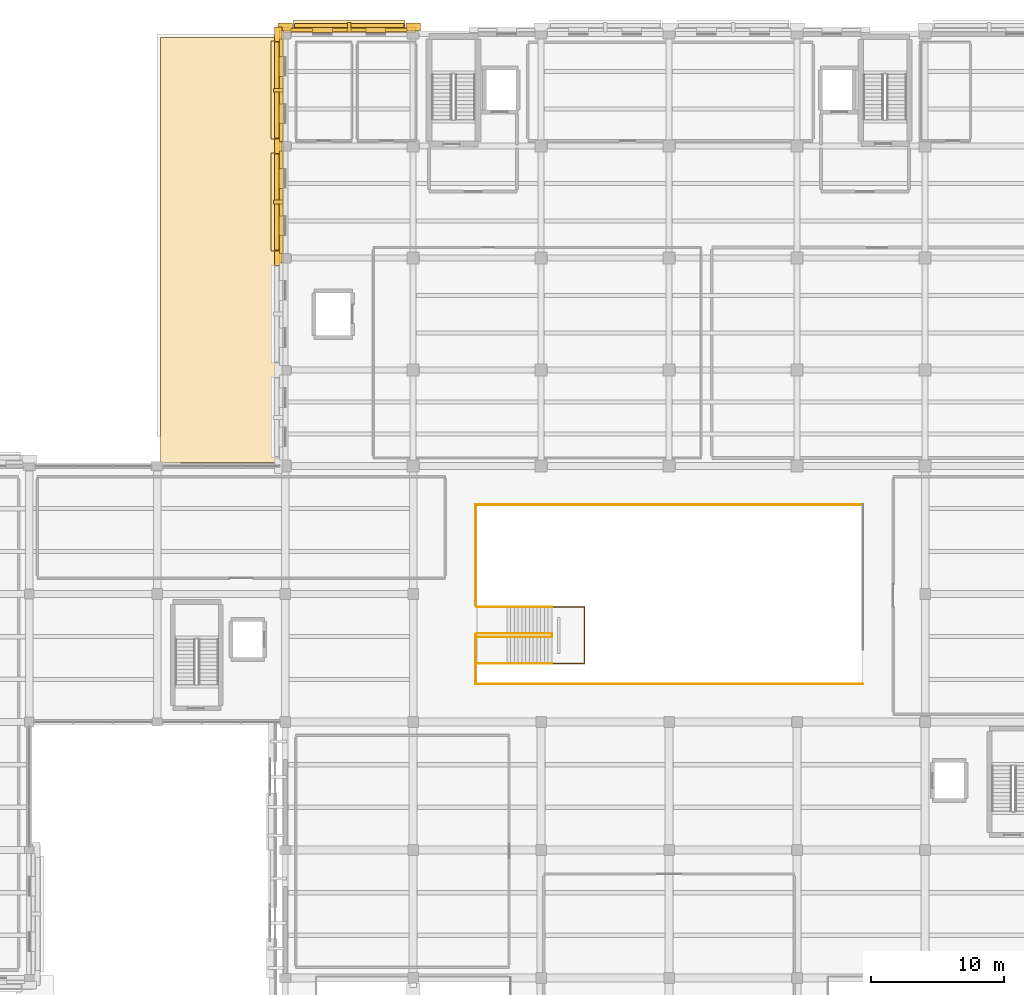
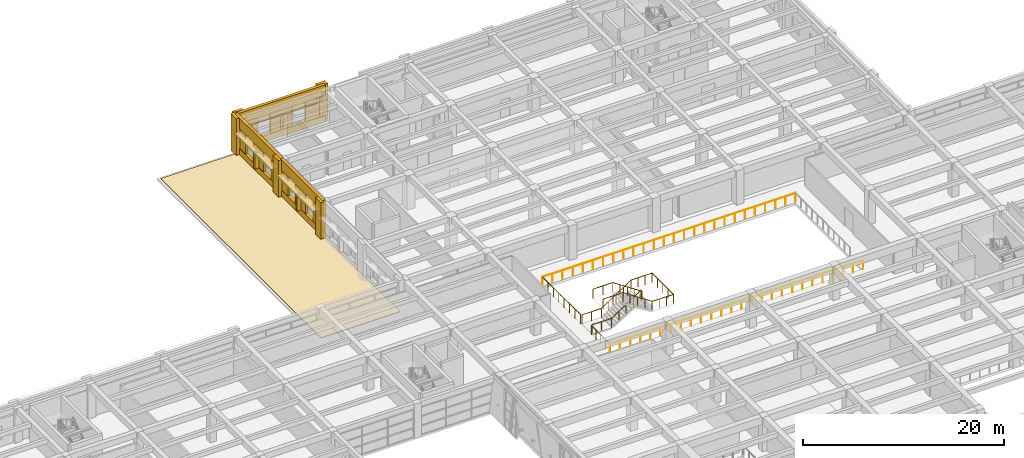
# One storey, part 44 of 49: 27 coverings, 9 railings, 3 shading devices.
"""IFC4 building model written with IfcOpenShell, lengths in metres."""

from ifc_helpers import new_model, si_unit, direction, frame, origin, origin_2d, place, context, subcontext, project, spatial, polyline, rectangle, circle, outline, extrude, material, layer, layer_set, type_object, element, save


model = new_model("IFC4")

# Units and contexts
model_context = context("Model", 3, precision=1e-05, world=origin(), true_north=direction((0.0, 1.0)))
body_context = subcontext(model_context, "Body", "Model", "MODEL_VIEW")
ifc_project = project(units=[si_unit("LENGTHUNIT", "METRE"), si_unit("AREAUNIT", "SQUARE_METRE"), si_unit("VOLUMEUNIT", "CUBIC_METRE"), si_unit("PLANEANGLEUNIT", "RADIAN"), si_unit("MASSUNIT", "GRAM", prefix="KILO")], contexts=[model_context])

# Site, building, storey
site_placement = place(None, origin())
site = spatial("IfcSite", under=ifc_project, at=site_placement, CompositionType="ELEMENT")
building_placement = place(site_placement, origin())
building = spatial("IfcBuilding", under=site, at=building_placement, Name="Bempovik Park Faculty of Sciences", CompositionType="ELEMENT")
storey_placement = place(building_placement, frame((0.0, 0.0, 5.39990234375)))
storey = spatial("IfcBuildingStorey", under=building, at=storey_placement, Name="L01", CompositionType="ELEMENT", Elevation=5.39990234375)

# Coverings
ifc_material_1 = material(Name="Precast concrete C40/50", Category="concrete")
ifc_layer_1 = layer(ifc_material_1, 0.179931640625)
ifc_layer_set_1 = layer_set([ifc_layer_1], Name="Precast concrete C40/50")
covering_type_1 = type_object("IfcCoveringType", Name="CL-02 Classical Cornice Band 180mm", PredefinedType="CLADDING", material=ifc_layer_set_1)
for number, where, z_axis, x_axis, name in (
    (1, (59.39990234375, 106.800048828125, 2.6103515625), (0.0, 0.0, 1.0), (1.0, 0.0, 0.0), "L01 Classical Stone Solar Window Hood EW-L01-6642"),
    (2, (59.39990234375, 115.199951171875, 2.6103515625), (0.0, 0.0, 1.0), (1.0, 0.0, 0.0), "L01 Classical Stone Solar Window Hood EW-L01-6654"),
):
    element("IfcCovering", number, at=place(storey_placement, frame(where, z_axis=z_axis, x_axis=x_axis)), inside=storey, type_object=covering_type_1, Name=name, PredefinedType="CLADDING", context=body_context, shape_type="SweptSolid", body=[
        extrude(rectangle(XDim=0.919921875, YDim=7.345947265625, at=origin_2d()), origin(), (0.0, 0.0, 1.0), 0.219970703125),
    ])
covering_1_placement = place(storey_placement, frame((64.800048828125, 120.0, 2.6103515625), z_axis=(0.0, 0.0, 1.0), x_axis=(1.0, 0.0, 0.0)))
element("IfcCovering", 3, at=covering_1_placement, inside=storey, type_object=covering_type_1, Name="L01 Classical Stone Solar Window Hood EW-L01-6666", PredefinedType="CLADDING", context=body_context, shape_type="SweptSolid", body=[
    extrude(rectangle(XDim=8.345947265625, YDim=0.919921875, at=origin_2d()), origin(), (0.0, 0.0, 1.0), 0.219970703125),
])
ifc_material_2 = material(Name="White reconstituted limestone precast C40/50", Category="masonry")
ifc_layer_2 = layer(ifc_material_2, 0.239990234375)
ifc_layer_set_2 = layer_set([ifc_layer_2], Name="White reconstituted limestone precast C40/50")
covering_type_2 = type_object("IfcCoveringType", Name="CL-03 Classical Fluted Limestone Pilaster 240mm", PredefinedType="CLADDING", material=ifc_layer_set_2)
covering_2_placement = place(storey_placement, frame((59.469970703125, 102.60009765625, 0.0), z_axis=(0.0, 0.0, 1.0), x_axis=(1.0, 0.0, 0.0)))
element("IfcCovering", 4, at=covering_2_placement, inside=storey, type_object=covering_type_2, Name="L01 Classical Fluted Stone Pilaster PIL-BA-L01-595-1026", PredefinedType="CLADDING", context=body_context, shape_type="SweptSolid", body=[
    extrude(rectangle(XDim=0.580078125, YDim=1.10009765625, at=origin_2d()), origin(), (0.0, 0.0, 1.0), 4.5),
])
covering_3_placement = place(storey_placement, frame((59.68994140625, 106.800048828125, 3.22021484375), z_axis=(0.0, 0.0, 1.0), x_axis=(1.0, 0.0, 0.0)))
element("IfcCovering", 5, at=covering_3_placement, inside=storey, type_object=covering_type_2, Name="L01 Classical Limestone Spandrel Entablature EW-L01-6642", PredefinedType="CLADDING", context=body_context, shape_type="SweptSolid", body=[
    extrude(rectangle(XDim=0.340087890625, YDim=9.0458984375, at=origin_2d()), origin(), (0.0, 0.0, 1.0), 1.280029296875),
])
covering_4_placement = place(storey_placement, frame((59.68994140625, 106.800048828125, 0.0), z_axis=(0.0, 0.0, 1.0), x_axis=(1.0, 0.0, 0.0)))
element("IfcCovering", 6, at=covering_4_placement, inside=storey, type_object=covering_type_2, Name="L01 Classical Limestone Sill Dado EW-L01-6642", PredefinedType="CLADDING", context=body_context, shape_type="SweptSolid", body=[
    extrude(rectangle(XDim=0.340087890625, YDim=9.0458984375, at=origin_2d()), origin(), (0.0, 0.0, 1.0), 0.780029296875),
])
covering_5_placement = place(storey_placement, frame((59.469970703125, 111.0, 0.0), z_axis=(0.0, 0.0, 1.0), x_axis=(1.0, 0.0, 0.0)))
element("IfcCovering", 7, at=covering_5_placement, inside=storey, type_object=covering_type_2, Name="L01 Classical Fluted Stone Pilaster PIL-BA-L01-595-1110", PredefinedType="CLADDING", context=body_context, shape_type="SweptSolid", body=[
    extrude(rectangle(XDim=0.580078125, YDim=1.10009765625, at=origin_2d()), origin(), (0.0, 0.0, 1.0), 4.5),
])
covering_6_placement = place(storey_placement, frame((59.699951171875, 103.620849609375, 0.000244140625), z_axis=(0.0, 0.0, 1.0), x_axis=(1.0, 0.0, 0.0)))
element("IfcCovering", 8, at=covering_6_placement, inside=storey, type_object=covering_type_2, Name="L01 White Limestone Wall Cheek EW-L01-6642-0", PredefinedType="CLADDING", context=body_context, shape_type="SweptSolid", body=[
    extrude(rectangle(XDim=0.239990234375, YDim=1.337890625, at=origin_2d()), origin(), (0.0, 0.0, 1.0), 3.3798828125),
])
covering_7_placement = place(storey_placement, frame((59.699951171875, 106.800048828125, 0.000244140625), z_axis=(0.0, 0.0, 1.0), x_axis=(1.0, 0.0, 0.0)))
element("IfcCovering", 9, at=covering_7_placement, inside=storey, type_object=covering_type_2, Name="L01 White Limestone Wall Cheek EW-L01-6642-2", PredefinedType="CLADDING", context=body_context, shape_type="SweptSolid", body=[
    extrude(rectangle(XDim=0.239990234375, YDim=2.060302734375, at=origin_2d()), origin(), (0.0, 0.0, 1.0), 3.3798828125),
])
covering_8_placement = place(storey_placement, frame((59.699951171875, 109.97900390625, 0.000244140625), z_axis=(0.0, 0.0, 1.0), x_axis=(1.0, 0.0, 0.0)))
element("IfcCovering", 10, at=covering_8_placement, inside=storey, type_object=covering_type_2, Name="L01 White Limestone Wall Cheek EW-L01-6642-4", PredefinedType="CLADDING", context=body_context, shape_type="SweptSolid", body=[
    extrude(rectangle(XDim=0.239990234375, YDim=1.337890625, at=origin_2d()), origin(), (0.0, 0.0, 1.0), 3.3798828125),
])
covering_9_placement = place(storey_placement, frame((59.489990234375, 106.800048828125, 0.7001953125), z_axis=(0.0, 0.0, 1.0), x_axis=(1.0, 0.0, 0.0)))
element("IfcCovering", 11, at=covering_9_placement, inside=storey, type_object=covering_type_2, Name="L01 Classical Vertical Stone Shading Fin EW-L01-6642", PredefinedType="CLADDING", context=body_context, shape_type="SweptSolid", body=[
    extrude(rectangle(XDim=0.719970703125, YDim=0.280029296875, at=origin_2d()), origin(), (0.0, 0.0, 1.0), 1.949951171875),
])
covering_10_placement = place(storey_placement, frame((59.68994140625, 115.199951171875, 3.22021484375), z_axis=(0.0, 0.0, 1.0), x_axis=(1.0, 0.0, 0.0)))
element("IfcCovering", 12, at=covering_10_placement, inside=storey, type_object=covering_type_2, Name="L01 Classical Limestone Spandrel Entablature EW-L01-6654", PredefinedType="CLADDING", context=body_context, shape_type="SweptSolid", body=[
    extrude(rectangle(XDim=0.340087890625, YDim=9.0458984375, at=origin_2d()), origin(), (0.0, 0.0, 1.0), 1.280029296875),
])
covering_11_placement = place(storey_placement, frame((59.68994140625, 115.199951171875, 0.0), z_axis=(0.0, 0.0, 1.0), x_axis=(1.0, 0.0, 0.0)))
element("IfcCovering", 13, at=covering_11_placement, inside=storey, type_object=covering_type_2, Name="L01 Classical Limestone Sill Dado EW-L01-6654", PredefinedType="CLADDING", context=body_context, shape_type="SweptSolid", body=[
    extrude(rectangle(XDim=0.340087890625, YDim=9.0458984375, at=origin_2d()), origin(), (0.0, 0.0, 1.0), 0.780029296875),
])
covering_12_placement = place(storey_placement, frame((59.469970703125, 119.39990234375, 0.0), z_axis=(0.0, 0.0, 1.0), x_axis=(1.0, 0.0, 0.0)))
element("IfcCovering", 14, at=covering_12_placement, inside=storey, type_object=covering_type_2, Name="L01 Classical Fluted Stone Pilaster PIL-BA-L01-595-1194", PredefinedType="CLADDING", context=body_context, shape_type="SweptSolid", body=[
    extrude(rectangle(XDim=0.580078125, YDim=1.10009765625, at=origin_2d()), origin(), (0.0, 0.0, 1.0), 4.5),
])
covering_13_placement = place(storey_placement, frame((59.699951171875, 112.02099609375, 0.000244140625), z_axis=(0.0, 0.0, 1.0), x_axis=(1.0, 0.0, 0.0)))
element("IfcCovering", 15, at=covering_13_placement, inside=storey, type_object=covering_type_2, Name="L01 White Limestone Wall Cheek EW-L01-6654-0", PredefinedType="CLADDING", context=body_context, shape_type="SweptSolid", body=[
    extrude(rectangle(XDim=0.239990234375, YDim=1.337890625, at=origin_2d()), origin(), (0.0, 0.0, 1.0), 3.3798828125),
])
covering_14_placement = place(storey_placement, frame((59.699951171875, 115.199951171875, 0.000244140625), z_axis=(0.0, 0.0, 1.0), x_axis=(1.0, 0.0, 0.0)))
element("IfcCovering", 16, at=covering_14_placement, inside=storey, type_object=covering_type_2, Name="L01 White Limestone Wall Cheek EW-L01-6654-2", PredefinedType="CLADDING", context=body_context, shape_type="SweptSolid", body=[
    extrude(rectangle(XDim=0.239990234375, YDim=2.060302734375, at=origin_2d()), origin(), (0.0, 0.0, 1.0), 3.3798828125),
])
covering_15_placement = place(storey_placement, frame((59.699951171875, 118.379150390625, 0.000244140625), z_axis=(0.0, 0.0, 1.0), x_axis=(1.0, 0.0, 0.0)))
element("IfcCovering", 17, at=covering_15_placement, inside=storey, type_object=covering_type_2, Name="L01 White Limestone Wall Cheek EW-L01-6654-4", PredefinedType="CLADDING", context=body_context, shape_type="SweptSolid", body=[
    extrude(rectangle(XDim=0.239990234375, YDim=1.337890625, at=origin_2d()), origin(), (0.0, 0.0, 1.0), 3.3798828125),
])
covering_16_placement = place(storey_placement, frame((59.489990234375, 115.199951171875, 0.7001953125), z_axis=(0.0, 0.0, 1.0), x_axis=(1.0, 0.0, 0.0)))
element("IfcCovering", 18, at=covering_16_placement, inside=storey, type_object=covering_type_2, Name="L01 Classical Vertical Stone Shading Fin EW-L01-6654", PredefinedType="CLADDING", context=body_context, shape_type="SweptSolid", body=[
    extrude(rectangle(XDim=0.719970703125, YDim=0.280029296875, at=origin_2d()), origin(), (0.0, 0.0, 1.0), 1.949951171875),
])
covering_17_placement = place(storey_placement, frame((64.800048828125, 119.7099609375, 3.22021484375), z_axis=(0.0, 0.0, 1.0), x_axis=(1.0, 0.0, 0.0)))
element("IfcCovering", 19, at=covering_17_placement, inside=storey, type_object=covering_type_2, Name="L01 Classical Limestone Spandrel Entablature EW-L01-6666", PredefinedType="CLADDING", context=body_context, shape_type="SweptSolid", body=[
    extrude(rectangle(XDim=10.0458984375, YDim=0.340087890625, at=origin_2d()), origin(), (0.0, 0.0, 1.0), 1.280029296875),
])
covering_18_placement = place(storey_placement, frame((64.800048828125, 119.7099609375, 0.0), z_axis=(0.0, 0.0, 1.0), x_axis=(1.0, 0.0, 0.0)))
element("IfcCovering", 20, at=covering_18_placement, inside=storey, type_object=covering_type_2, Name="L01 Classical Limestone Sill Dado EW-L01-6666", PredefinedType="CLADDING", context=body_context, shape_type="SweptSolid", body=[
    extrude(rectangle(XDim=10.0458984375, YDim=0.340087890625, at=origin_2d()), origin(), (0.0, 0.0, 1.0), 0.780029296875),
])
for number, where, z_axis, x_axis, name in (
    (21, (60.0, 119.929931640625, 0.0), (0.0, 0.0, 1.0), (1.0, 0.0, 0.0), "L01 Classical Fluted Stone Pilaster PIL-BA-L01-600-1199"),
    (22, (69.60009765625, 119.929931640625, 0.0), (0.0, 0.0, 1.0), (1.0, 0.0, 0.0), "L01 Classical Fluted Stone Pilaster PIL-BA-L01-696-1199"),
):
    element("IfcCovering", number, at=place(storey_placement, frame(where, z_axis=z_axis, x_axis=x_axis)), inside=storey, type_object=covering_type_2, Name=name, PredefinedType="CLADDING", context=body_context, shape_type="SweptSolid", body=[
        extrude(rectangle(XDim=1.10009765625, YDim=0.580078125, at=origin_2d()), origin(), (0.0, 0.0, 1.0), 4.5),
    ])
covering_19_placement = place(storey_placement, frame((61.255859375, 119.699951171875, 0.000244140625), z_axis=(0.0, 0.0, 1.0), x_axis=(1.0, 0.0, 0.0)))
element("IfcCovering", 23, at=covering_19_placement, inside=storey, type_object=covering_type_2, Name="L01 White Limestone Wall Cheek EW-L01-6666-0", PredefinedType="CLADDING", context=body_context, shape_type="SweptSolid", body=[
    extrude(rectangle(XDim=1.60791015625, YDim=0.239990234375, at=origin_2d()), origin(), (0.0, 0.0, 1.0), 3.3798828125),
])
covering_20_placement = place(storey_placement, frame((64.800048828125, 119.699951171875, 0.000244140625), z_axis=(0.0, 0.0, 1.0), x_axis=(1.0, 0.0, 0.0)))
element("IfcCovering", 24, at=covering_20_placement, inside=storey, type_object=covering_type_2, Name="L01 White Limestone Wall Cheek EW-L01-6666-2", PredefinedType="CLADDING", context=body_context, shape_type="SweptSolid", body=[
    extrude(rectangle(XDim=2.520263671875, YDim=0.239990234375, at=origin_2d()), origin(), (0.0, 0.0, 1.0), 3.3798828125),
])
covering_21_placement = place(storey_placement, frame((68.343994140625, 119.699951171875, 0.000244140625), z_axis=(0.0, 0.0, 1.0), x_axis=(1.0, 0.0, 0.0)))
element("IfcCovering", 25, at=covering_21_placement, inside=storey, type_object=covering_type_2, Name="L01 White Limestone Wall Cheek EW-L01-6666-4", PredefinedType="CLADDING", context=body_context, shape_type="SweptSolid", body=[
    extrude(rectangle(XDim=1.60791015625, YDim=0.239990234375, at=origin_2d()), origin(), (0.0, 0.0, 1.0), 3.3798828125),
])
covering_22_placement = place(storey_placement, frame((64.800048828125, 119.909912109375, 0.7001953125), z_axis=(0.0, 0.0, 1.0), x_axis=(1.0, 0.0, 0.0)))
element("IfcCovering", 26, at=covering_22_placement, inside=storey, type_object=covering_type_2, Name="L01 Classical Vertical Stone Shading Fin EW-L01-6666", PredefinedType="CLADDING", context=body_context, shape_type="SweptSolid", body=[
    extrude(rectangle(XDim=0.280029296875, YDim=0.719970703125, at=origin_2d()), origin(), (0.0, 0.0, 1.0), 1.949951171875),
])

# Railings
ifc_material_3 = material(Name="Anodised architectural bronze")
railing_type = type_object("IfcRailingType", Name="GR-01 Guardrail 1120mm", PredefinedType="GUARDRAIL", material=ifc_material_3)
railing_1_placement = place(storey_placement, frame((74.375, 76.4375, 0.0)))
element("IfcRailing", 27, at=railing_1_placement, inside=storey, type_object=railing_type, Name="Atrium Feature Stair Lower Outer Guard", PredefinedType="GUARDRAIL", context=body_context, shape_type="SweptSolid", body=[
    extrude(circle(Radius=0.02392578125, at=origin_2d()), frame((0.0, 0.0, 1.09619140625), z_axis=(1.0, 0.0, 0.0), x_axis=(0.0, 1.0, 0.0)), (0.0, 0.0, 1.0), 2.25),
    extrude(circle(Radius=0.02392578125, at=origin_2d()), frame((2.25, 0.0, 1.09619140625), z_axis=(0.832050294338, 0.0, 0.554700196225), x_axis=(0.0, 1.0, 0.0)), (0.0, 0.0, 1.0), 4.05615234375),
    extrude(circle(Radius=0.02099609375, at=origin_2d()), origin(), (0.0, 0.0, 1.0), 1.072021484375),
    extrude(circle(Radius=0.02099609375, at=origin_2d()), frame((1.125, 0.0, 0.0)), (0.0, 0.0, 1.0), 1.072021484375),
    extrude(circle(Radius=0.02099609375, at=origin_2d()), frame((2.25, 0.0, 0.0)), (0.0, 0.0, 1.0), 1.072021484375),
    extrude(circle(Radius=0.02099609375, at=origin_2d()), frame((3.09375, 0.0, 0.5625)), (0.0, 0.0, 1.0), 1.072021484375),
    extrude(circle(Radius=0.02099609375, at=origin_2d()), frame((3.9375, 0.0, 1.125)), (0.0, 0.0, 1.0), 1.072021484375),
    extrude(circle(Radius=0.02099609375, at=origin_2d()), frame((4.78125, 0.0, 1.6875)), (0.0, 0.0, 1.0), 1.072021484375),
    extrude(circle(Radius=0.02099609375, at=origin_2d()), frame((5.625, 0.0, 2.25)), (0.0, 0.0, 1.0), 1.072021484375),
])
railing_2_placement = place(storey_placement, frame((74.375, 74.4375, 0.0)))
element("IfcRailing", 28, at=railing_2_placement, inside=storey, type_object=railing_type, Name="Atrium Feature Stair Inner Well Guard 1", PredefinedType="GUARDRAIL", context=body_context, shape_type="SweptSolid", body=[
    extrude(circle(Radius=0.02392578125, at=origin_2d()), frame((0.0, 0.0, 1.09619140625), z_axis=(1.0, 0.0, 0.0), x_axis=(0.0, 1.0, 0.0)), (0.0, 0.0, 1.0), 2.25),
    extrude(circle(Radius=0.02392578125, at=origin_2d()), frame((2.25, 0.0, 1.09619140625), z_axis=(0.832050294338, 0.0, 0.554700196225), x_axis=(0.0, 1.0, 0.0)), (0.0, 0.0, 1.0), 4.05615234375),
    extrude(circle(Radius=0.02392578125, at=origin_2d()), frame((5.625, 0.0, 3.34619140625), z_axis=(0.0, -1.0, 0.0), x_axis=(1.0, 0.0, 0.0)), (0.0, 0.0, 1.0), 0.25),
    extrude(circle(Radius=0.02099609375, at=origin_2d()), origin(), (0.0, 0.0, 1.0), 1.072021484375),
    extrude(circle(Radius=0.02099609375, at=origin_2d()), frame((1.125, 0.0, 0.0)), (0.0, 0.0, 1.0), 1.072021484375),
    extrude(circle(Radius=0.02099609375, at=origin_2d()), frame((2.25, 0.0, 0.0)), (0.0, 0.0, 1.0), 1.072021484375),
    extrude(circle(Radius=0.02099609375, at=origin_2d()), frame((3.09375, 0.0, 0.5625)), (0.0, 0.0, 1.0), 1.072021484375),
    extrude(circle(Radius=0.02099609375, at=origin_2d()), frame((3.9375, 0.0, 1.125)), (0.0, 0.0, 1.0), 1.072021484375),
    extrude(circle(Radius=0.02099609375, at=origin_2d()), frame((4.78125, 0.0, 1.6875)), (0.0, 0.0, 1.0), 1.072021484375),
    extrude(circle(Radius=0.02099609375, at=origin_2d()), frame((5.625, 0.0, 2.25)), (0.0, 0.0, 1.0), 1.072021484375),
    extrude(circle(Radius=0.02099609375, at=origin_2d()), frame((5.625, -0.25, 2.25)), (0.0, 0.0, 1.0), 1.072021484375),
])
railing_3_placement = place(storey_placement, frame((80.0, 76.4375, 2.25)))
element("IfcRailing", 29, at=railing_3_placement, inside=storey, type_object=railing_type, Name="Atrium Feature Stair Landing Perimeter Guard", PredefinedType="GUARDRAIL", context=body_context, shape_type="SweptSolid", body=[
    extrude(circle(Radius=0.02392578125, at=origin_2d()), frame((0.0, 0.0, 1.09619140625), z_axis=(1.0, 0.0, 0.0), x_axis=(0.0, 1.0, 0.0)), (0.0, 0.0, 1.0), 2.4375),
    extrude(circle(Radius=0.02392578125, at=origin_2d()), frame((2.4375, 0.0, 1.09619140625), z_axis=(0.0, -1.0, 0.0), x_axis=(1.0, 0.0, 0.0)), (0.0, 0.0, 1.0), 4.25),
    extrude(circle(Radius=0.02392578125, at=origin_2d()), frame((2.4375, -4.25, 1.09619140625), z_axis=(-1.0, 0.0, 0.0), x_axis=(0.0, -1.0, 0.0)), (0.0, 0.0, 1.0), 2.4375),
    extrude(circle(Radius=0.02099609375, at=origin_2d()), origin(), (0.0, 0.0, 1.0), 1.072021484375),
    extrude(circle(Radius=0.02099609375, at=origin_2d()), frame((0.8125, 0.0, 0.0)), (0.0, 0.0, 1.0), 1.072021484375),
    extrude(circle(Radius=0.02099609375, at=origin_2d()), frame((1.625, 0.0, 0.0)), (0.0, 0.0, 1.0), 1.072021484375),
    extrude(circle(Radius=0.02099609375, at=origin_2d()), frame((2.4375, 0.0, 0.0)), (0.0, 0.0, 1.0), 1.072021484375),
    extrude(circle(Radius=0.02099609375, at=origin_2d()), frame((2.4375, -1.0625, 0.0)), (0.0, 0.0, 1.0), 1.072021484375),
    extrude(circle(Radius=0.02099609375, at=origin_2d()), frame((2.4375, -2.125, 0.0)), (0.0, 0.0, 1.0), 1.072021484375),
    extrude(circle(Radius=0.02099609375, at=origin_2d()), frame((2.4375, -3.1875, 0.0)), (0.0, 0.0, 1.0), 1.072021484375),
    extrude(circle(Radius=0.02099609375, at=origin_2d()), frame((2.4375, -4.25, 0.0)), (0.0, 0.0, 1.0), 1.072021484375),
    extrude(circle(Radius=0.02099609375, at=origin_2d()), frame((1.625, -4.25, 0.0)), (0.0, 0.0, 1.0), 1.072021484375),
    extrude(circle(Radius=0.02099609375, at=origin_2d()), frame((0.8125, -4.25, 0.0)), (0.0, 0.0, 1.0), 1.072021484375),
    extrude(circle(Radius=0.02099609375, at=origin_2d()), frame((0.0, -4.25, 0.0)), (0.0, 0.0, 1.0), 1.072021484375),
])
for number, where, name in (
    (30, (80.0, 72.1875, 2.25), "Atrium Feature Stair Upper Outer Guard"),
    (31, (80.0, 74.1875, 2.25), "Atrium Feature Stair Inner Well Guard 2"),
):
    element("IfcRailing", number, at=place(storey_placement, frame(where)), inside=storey, type_object=railing_type, Name=name, PredefinedType="GUARDRAIL", context=body_context, shape_type="SweptSolid", body=[
        extrude(circle(Radius=0.02392578125, at=origin_2d()), frame((0.0, 0.0, 1.09619140625), z_axis=(-0.832050294338, 0.0, 0.554700196225), x_axis=(0.0, -1.0, 0.0)), (0.0, 0.0, 1.0), 4.05615234375),
        extrude(circle(Radius=0.02392578125, at=origin_2d()), frame((-3.375, 0.0, 3.34619140625), z_axis=(-1.0, 0.0, 0.0), x_axis=(0.0, -1.0, 0.0)), (0.0, 0.0, 1.0), 2.25),
        extrude(circle(Radius=0.02099609375, at=origin_2d()), origin(), (0.0, 0.0, 1.0), 1.072021484375),
        extrude(circle(Radius=0.02099609375, at=origin_2d()), frame((-0.84375, 0.0, 0.5625)), (0.0, 0.0, 1.0), 1.072021484375),
        extrude(circle(Radius=0.02099609375, at=origin_2d()), frame((-1.6875, 0.0, 1.125)), (0.0, 0.0, 1.0), 1.072021484375),
        extrude(circle(Radius=0.02099609375, at=origin_2d()), frame((-2.53125, 0.0, 1.6875)), (0.0, 0.0, 1.0), 1.072021484375),
        extrude(circle(Radius=0.02099609375, at=origin_2d()), frame((-3.375, 0.0, 2.25)), (0.0, 0.0, 1.0), 1.072021484375),
        extrude(circle(Radius=0.02099609375, at=origin_2d()), frame((-4.5, 0.0, 2.25)), (0.0, 0.0, 1.0), 1.072021484375),
        extrude(circle(Radius=0.02099609375, at=origin_2d()), frame((-5.625, 0.0, 2.25)), (0.0, 0.0, 1.0), 1.072021484375),
    ])
railing_4_placement = place(storey_placement, frame((74.27490234375, 70.64990234375, 0.0)))
element("IfcRailing", 32, at=railing_4_placement, inside=storey, type_object=railing_type, Name="L01 Atrium Void South Guardrail", PredefinedType="GUARDRAIL", context=body_context, shape_type="SweptSolid", body=[
    extrude(circle(Radius=0.02392578125, at=origin_2d()), frame((0.0, 0.0, 1.09619140625), z_axis=(1.0, 0.0, 0.0), x_axis=(0.0, 1.0, 0.0)), (0.0, 0.0, 1.0), 29.0751953125),
    extrude(circle(Radius=0.02099609375, at=origin_2d()), origin(), (0.0, 0.0, 1.0), 1.072021484375),
    extrude(circle(Radius=0.02099609375, at=origin_2d()), frame((1.1630859375, 0.0, 0.0)), (0.0, 0.0, 1.0), 1.072021484375),
    extrude(circle(Radius=0.02099609375, at=origin_2d()), frame((2.325927734375, 0.0, 0.0)), (0.0, 0.0, 1.0), 1.072021484375),
    extrude(circle(Radius=0.02099609375, at=origin_2d()), frame((3.489013671875, 0.0, 0.0)), (0.0, 0.0, 1.0), 1.072021484375),
    extrude(circle(Radius=0.02099609375, at=origin_2d()), frame((4.652099609375, 0.0, 0.0)), (0.0, 0.0, 1.0), 1.072021484375),
    extrude(circle(Radius=0.02099609375, at=origin_2d()), frame((5.81494140625, 0.0, 0.0)), (0.0, 0.0, 1.0), 1.072021484375),
    extrude(circle(Radius=0.02099609375, at=origin_2d()), frame((6.97802734375, 0.0, 0.0)), (0.0, 0.0, 1.0), 1.072021484375),
    extrude(circle(Radius=0.02099609375, at=origin_2d()), frame((8.14111328125, 0.0, 0.0)), (0.0, 0.0, 1.0), 1.072021484375),
    extrude(circle(Radius=0.02099609375, at=origin_2d()), frame((9.303955078125, 0.0, 0.0)), (0.0, 0.0, 1.0), 1.072021484375),
    extrude(circle(Radius=0.02099609375, at=origin_2d()), frame((10.467041015625, 0.0, 0.0)), (0.0, 0.0, 1.0), 1.072021484375),
    extrude(circle(Radius=0.02099609375, at=origin_2d()), frame((11.630126953125, 0.0, 0.0)), (0.0, 0.0, 1.0), 1.072021484375),
    extrude(circle(Radius=0.02099609375, at=origin_2d()), frame((12.79296875, 0.0, 0.0)), (0.0, 0.0, 1.0), 1.072021484375),
    extrude(circle(Radius=0.02099609375, at=origin_2d()), frame((13.9560546875, 0.0, 0.0)), (0.0, 0.0, 1.0), 1.072021484375),
    extrude(circle(Radius=0.02099609375, at=origin_2d()), frame((15.119140625, 0.0, 0.0)), (0.0, 0.0, 1.0), 1.072021484375),
    extrude(circle(Radius=0.02099609375, at=origin_2d()), frame((16.2822265625, 0.0, 0.0)), (0.0, 0.0, 1.0), 1.072021484375),
    extrude(circle(Radius=0.02099609375, at=origin_2d()), frame((17.445068359375, 0.0, 0.0)), (0.0, 0.0, 1.0), 1.072021484375),
    extrude(circle(Radius=0.02099609375, at=origin_2d()), frame((18.608154296875, 0.0, 0.0)), (0.0, 0.0, 1.0), 1.072021484375),
    extrude(circle(Radius=0.02099609375, at=origin_2d()), frame((19.771240234375, 0.0, 0.0)), (0.0, 0.0, 1.0), 1.072021484375),
    extrude(circle(Radius=0.02099609375, at=origin_2d()), frame((20.93408203125, 0.0, 0.0)), (0.0, 0.0, 1.0), 1.072021484375),
    extrude(circle(Radius=0.02099609375, at=origin_2d()), frame((22.09716796875, 0.0, 0.0)), (0.0, 0.0, 1.0), 1.072021484375),
    extrude(circle(Radius=0.02099609375, at=origin_2d()), frame((23.26025390625, 0.0, 0.0)), (0.0, 0.0, 1.0), 1.072021484375),
    extrude(circle(Radius=0.02099609375, at=origin_2d()), frame((24.423095703125, 0.0, 0.0)), (0.0, 0.0, 1.0), 1.072021484375),
    extrude(circle(Radius=0.02099609375, at=origin_2d()), frame((25.586181640625, 0.0, 0.0)), (0.0, 0.0, 1.0), 1.072021484375),
    extrude(circle(Radius=0.02099609375, at=origin_2d()), frame((26.749267578125, 0.0, 0.0)), (0.0, 0.0, 1.0), 1.072021484375),
    extrude(circle(Radius=0.02099609375, at=origin_2d()), frame((27.912109375, 0.0, 0.0)), (0.0, 0.0, 1.0), 1.072021484375),
    extrude(circle(Radius=0.02099609375, at=origin_2d()), frame((29.0751953125, 0.0, 0.0)), (0.0, 0.0, 1.0), 1.072021484375),
])
railing_5_placement = place(storey_placement, frame((74.27490234375, 84.10009765625, 0.0)))
element("IfcRailing", 33, at=railing_5_placement, inside=storey, type_object=railing_type, Name="L01 Atrium Void North Guardrail", PredefinedType="GUARDRAIL", context=body_context, shape_type="SweptSolid", body=[
    extrude(circle(Radius=0.02392578125, at=origin_2d()), frame((0.0, 0.0, 1.09619140625), z_axis=(1.0, 0.0, 0.0), x_axis=(0.0, 1.0, 0.0)), (0.0, 0.0, 1.0), 29.0751953125),
    extrude(circle(Radius=0.02099609375, at=origin_2d()), origin(), (0.0, 0.0, 1.0), 1.072021484375),
    extrude(circle(Radius=0.02099609375, at=origin_2d()), frame((1.1630859375, 0.0, 0.0)), (0.0, 0.0, 1.0), 1.072021484375),
    extrude(circle(Radius=0.02099609375, at=origin_2d()), frame((2.325927734375, 0.0, 0.0)), (0.0, 0.0, 1.0), 1.072021484375),
    extrude(circle(Radius=0.02099609375, at=origin_2d()), frame((3.489013671875, 0.0, 0.0)), (0.0, 0.0, 1.0), 1.072021484375),
    extrude(circle(Radius=0.02099609375, at=origin_2d()), frame((4.652099609375, 0.0, 0.0)), (0.0, 0.0, 1.0), 1.072021484375),
    extrude(circle(Radius=0.02099609375, at=origin_2d()), frame((5.81494140625, 0.0, 0.0)), (0.0, 0.0, 1.0), 1.072021484375),
    extrude(circle(Radius=0.02099609375, at=origin_2d()), frame((6.97802734375, 0.0, 0.0)), (0.0, 0.0, 1.0), 1.072021484375),
    extrude(circle(Radius=0.02099609375, at=origin_2d()), frame((8.14111328125, 0.0, 0.0)), (0.0, 0.0, 1.0), 1.072021484375),
    extrude(circle(Radius=0.02099609375, at=origin_2d()), frame((9.303955078125, 0.0, 0.0)), (0.0, 0.0, 1.0), 1.072021484375),
    extrude(circle(Radius=0.02099609375, at=origin_2d()), frame((10.467041015625, 0.0, 0.0)), (0.0, 0.0, 1.0), 1.072021484375),
    extrude(circle(Radius=0.02099609375, at=origin_2d()), frame((11.630126953125, 0.0, 0.0)), (0.0, 0.0, 1.0), 1.072021484375),
    extrude(circle(Radius=0.02099609375, at=origin_2d()), frame((12.79296875, 0.0, 0.0)), (0.0, 0.0, 1.0), 1.072021484375),
    extrude(circle(Radius=0.02099609375, at=origin_2d()), frame((13.9560546875, 0.0, 0.0)), (0.0, 0.0, 1.0), 1.072021484375),
    extrude(circle(Radius=0.02099609375, at=origin_2d()), frame((15.119140625, 0.0, 0.0)), (0.0, 0.0, 1.0), 1.072021484375),
    extrude(circle(Radius=0.02099609375, at=origin_2d()), frame((16.2822265625, 0.0, 0.0)), (0.0, 0.0, 1.0), 1.072021484375),
    extrude(circle(Radius=0.02099609375, at=origin_2d()), frame((17.445068359375, 0.0, 0.0)), (0.0, 0.0, 1.0), 1.072021484375),
    extrude(circle(Radius=0.02099609375, at=origin_2d()), frame((18.608154296875, 0.0, 0.0)), (0.0, 0.0, 1.0), 1.072021484375),
    extrude(circle(Radius=0.02099609375, at=origin_2d()), frame((19.771240234375, 0.0, 0.0)), (0.0, 0.0, 1.0), 1.072021484375),
    extrude(circle(Radius=0.02099609375, at=origin_2d()), frame((20.93408203125, 0.0, 0.0)), (0.0, 0.0, 1.0), 1.072021484375),
    extrude(circle(Radius=0.02099609375, at=origin_2d()), frame((22.09716796875, 0.0, 0.0)), (0.0, 0.0, 1.0), 1.072021484375),
    extrude(circle(Radius=0.02099609375, at=origin_2d()), frame((23.26025390625, 0.0, 0.0)), (0.0, 0.0, 1.0), 1.072021484375),
    extrude(circle(Radius=0.02099609375, at=origin_2d()), frame((24.423095703125, 0.0, 0.0)), (0.0, 0.0, 1.0), 1.072021484375),
    extrude(circle(Radius=0.02099609375, at=origin_2d()), frame((25.586181640625, 0.0, 0.0)), (0.0, 0.0, 1.0), 1.072021484375),
    extrude(circle(Radius=0.02099609375, at=origin_2d()), frame((26.749267578125, 0.0, 0.0)), (0.0, 0.0, 1.0), 1.072021484375),
    extrude(circle(Radius=0.02099609375, at=origin_2d()), frame((27.912109375, 0.0, 0.0)), (0.0, 0.0, 1.0), 1.072021484375),
    extrude(circle(Radius=0.02099609375, at=origin_2d()), frame((29.0751953125, 0.0, 0.0)), (0.0, 0.0, 1.0), 1.072021484375),
])
railing_6_placement = place(storey_placement, frame((74.27490234375, 70.64990234375, 0.0)))
element("IfcRailing", 34, at=railing_6_placement, inside=storey, type_object=railing_type, Name="L01 Atrium Void West Guardrail South", PredefinedType="GUARDRAIL", context=body_context, shape_type="SweptSolid", body=[
    extrude(circle(Radius=0.02392578125, at=origin_2d()), frame((0.0, 0.0, 1.09619140625), z_axis=(0.0, 1.0, 0.0), x_axis=(-1.0, 0.0, 0.0)), (0.0, 0.0, 1.0), 3.7001953125),
    extrude(circle(Radius=0.02099609375, at=origin_2d()), origin(), (0.0, 0.0, 1.0), 1.072021484375),
    extrude(circle(Radius=0.02099609375, at=origin_2d()), frame((0.0, 0.925048828125, 0.0)), (0.0, 0.0, 1.0), 1.072021484375),
    extrude(circle(Radius=0.02099609375, at=origin_2d()), frame((0.0, 1.85009765625, 0.0)), (0.0, 0.0, 1.0), 1.072021484375),
    extrude(circle(Radius=0.02099609375, at=origin_2d()), frame((0.0, 2.775146484375, 0.0)), (0.0, 0.0, 1.0), 1.072021484375),
    extrude(circle(Radius=0.02099609375, at=origin_2d()), frame((0.0, 3.7001953125, 0.0)), (0.0, 0.0, 1.0), 1.072021484375),
])
railing_7_placement = place(storey_placement, frame((74.27490234375, 76.550048828125, 0.0)))
element("IfcRailing", 35, at=railing_7_placement, inside=storey, type_object=railing_type, Name="L01 Atrium Void West Guardrail North", PredefinedType="GUARDRAIL", context=body_context, shape_type="SweptSolid", body=[
    extrude(circle(Radius=0.02392578125, at=origin_2d()), frame((0.0, 0.0, 1.09619140625), z_axis=(0.0, 1.0, 0.0), x_axis=(-1.0, 0.0, 0.0)), (0.0, 0.0, 1.0), 7.550048828125),
    extrude(circle(Radius=0.02099609375, at=origin_2d()), origin(), (0.0, 0.0, 1.0), 1.072021484375),
    extrude(circle(Radius=0.02099609375, at=origin_2d()), frame((0.0, 1.07861328125, 0.0)), (0.0, 0.0, 1.0), 1.072021484375),
    extrude(circle(Radius=0.02099609375, at=origin_2d()), frame((0.0, 2.1572265625, 0.0)), (0.0, 0.0, 1.0), 1.072021484375),
    extrude(circle(Radius=0.02099609375, at=origin_2d()), frame((0.0, 3.23583984375, 0.0)), (0.0, 0.0, 1.0), 1.072021484375),
    extrude(circle(Radius=0.02099609375, at=origin_2d()), frame((0.0, 4.314208984375, 0.0)), (0.0, 0.0, 1.0), 1.072021484375),
    extrude(circle(Radius=0.02099609375, at=origin_2d()), frame((0.0, 5.392822265625, 0.0)), (0.0, 0.0, 1.0), 1.072021484375),
    extrude(circle(Radius=0.02099609375, at=origin_2d()), frame((0.0, 6.471435546875, 0.0)), (0.0, 0.0, 1.0), 1.072021484375),
    extrude(circle(Radius=0.02099609375, at=origin_2d()), frame((0.0, 7.550048828125, 0.0)), (0.0, 0.0, 1.0), 1.072021484375),
])

# Covering
ifc_material_4 = material(Name="Insulated cool-roof membrane")
ifc_layer_3 = layer(ifc_material_4, 0.06005859375)
ifc_layer_set_3 = layer_set([ifc_layer_3], Name="Insulated cool-roof membrane")
covering_type_3 = type_object("IfcCoveringType", Name="RF-01 Cool Roof Membrane 60mm", PredefinedType="ROOFING", material=ifc_layer_set_3)
covering_23_placement = place(storey_placement, origin())
element("IfcCovering", 36, at=covering_23_placement, inside=storey, type_object=covering_type_3, Name="Cool-Roof Membrane RF-V5-PORTAL", PredefinedType="ROOFING", context=body_context, shape_type="SweptSolid", body=[
    extrude(outline(polyline([(50.64990234375, 87.25), (59.75, 87.25), (59.75, 119.14990234375), (50.64990234375, 119.14990234375), (50.64990234375, 87.25)])), origin(), (0.0, 0.0, 1.0), 0.06005859375),
])

# Shading devices
ifc_layer_4 = layer(ifc_material_3, 0.06005859375)
ifc_layer_set_4 = layer_set([ifc_layer_4], Name="Anodised architectural bronze")
shading_device_type = type_object("IfcShadingDeviceType", Name="SH-01 Bronze Brise-Soleil Fin", PredefinedType="USERDEFINED", material=ifc_layer_set_4)
for number, where, z_axis, x_axis, name in (
    (37, (59.52001953125, 106.800048828125, 2.550048828125), (0.0, 0.0, 1.0), (1.0, 0.0, 0.0), "L01 Equatorial Bronze Brise-Soleil EW-L01-6642"),
    (38, (59.52001953125, 115.199951171875, 2.550048828125), (0.0, 0.0, 1.0), (1.0, 0.0, 0.0), "L01 Equatorial Bronze Brise-Soleil EW-L01-6654"),
):
    element("IfcShadingDevice", number, at=place(storey_placement, frame(where, z_axis=z_axis, x_axis=x_axis)), inside=storey, type_object=shading_device_type, Name=name, ObjectType="BRISE SOLEIL", PredefinedType="USERDEFINED", context=body_context, shape_type="SweptSolid", body=[
        extrude(rectangle(XDim=0.64990234375, YDim=7.196044921875, at=origin_2d()), origin(), (0.0, 0.0, 1.0), 0.06005859375),
    ])
shading_device_placement = place(storey_placement, frame((64.800048828125, 119.8798828125, 2.550048828125), z_axis=(0.0, 0.0, 1.0), x_axis=(1.0, 0.0, 0.0)))
element("IfcShadingDevice", 39, at=shading_device_placement, inside=storey, type_object=shading_device_type, Name="L01 Equatorial Bronze Brise-Soleil EW-L01-6666", ObjectType="BRISE SOLEIL", PredefinedType="USERDEFINED", context=body_context, shape_type="SweptSolid", body=[
    extrude(rectangle(XDim=8.196044921875, YDim=0.64990234375, at=origin_2d()), origin(), (0.0, 0.0, 1.0), 0.06005859375),
])

save(model, "model.ifc")
